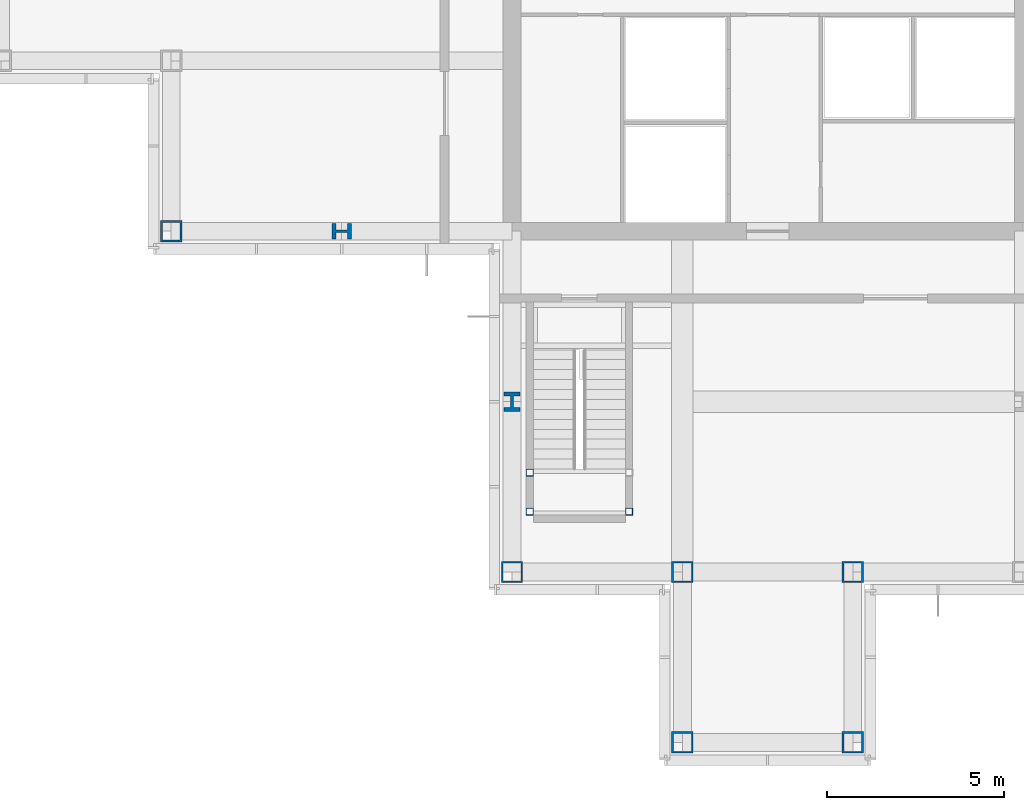
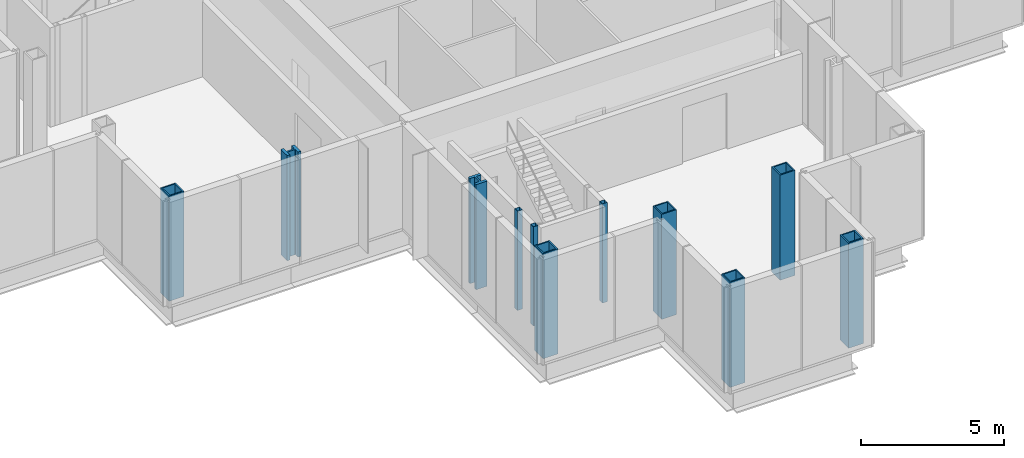
# One storey, part 1 of 12: 11 columns.
"""IFC4 building model written with IfcOpenShell, lengths in metres."""

from ifc_helpers import new_model, si_unit, direction, frame, origin, origin_2d, place, context, subcontext, project, spatial, hollow_rectangle, i_section, extrude, material, material_profile, profile_set, type_object, element, save


model = new_model("IFC4")

# Units and contexts
model_context = context("Model", 3, precision=1e-05, world=origin(), true_north=direction((0.0, 1.0)))
body_context = subcontext(model_context, "Body", "Model", "MODEL_VIEW")
ifc_project = project(units=[si_unit("LENGTHUNIT", "METRE"), si_unit("AREAUNIT", "SQUARE_METRE"), si_unit("VOLUMEUNIT", "CUBIC_METRE"), si_unit("PLANEANGLEUNIT", "RADIAN"), si_unit("MASSUNIT", "GRAM", prefix="KILO")], contexts=[model_context])

# Site, building, storey
site_placement = place(None, origin())
site = spatial("IfcSite", under=ifc_project, at=site_placement, CompositionType="ELEMENT")
building_placement = place(site_placement, origin())
building = spatial("IfcBuilding", under=site, at=building_placement, Name="Kvirike Care Tower", CompositionType="ELEMENT")
storey_placement = place(building_placement, frame((0.0, 0.0, 243.5)))
storey = spatial("IfcBuildingStorey", under=building, at=storey_placement, Name="L67", CompositionType="ELEMENT", Elevation=243.5)

# Columns
ifc_material_1 = material(Name="Steel S460", Category="steel")
ifc_material_profile_1 = material_profile(ifc_material_1, hollow_rectangle(XDim=0.60009765625, YDim=0.60009765625, WallThickness=0.050048828125, at=origin_2d()), Name="BX 600x600x50")
ifc_profile_set_1 = profile_set([ifc_material_profile_1], Name="Steel S460")
column_type_1 = type_object("IfcColumnType", Name="COLUMN BX 600x600x50", PredefinedType="COLUMN", material=ifc_profile_set_1)
for number, where, z_axis, x_axis, name in (
    (1, (4.800048828125, 28.800048828125, 0.0), (0.0, 0.0, 1.0), (0.0, 1.0, 0.0), "Column G4 L67"),
    (2, (14.39990234375, 19.199951171875, 0.0), (0.0, 0.0, 1.0), (0.0, 1.0, 0.0), "Column E6 L67"),
    (3, (19.199951171875, 14.39990234375, 0.0), (0.0, 0.0, 1.0), (0.0, 1.0, 0.0), "Column D7 L67"),
    (4, (19.199951171875, 19.199951171875, 0.0), (0.0, 0.0, 1.0), (0.0, 1.0, 0.0), "Column E7 L67"),
    (5, (24.0, 14.39990234375, 0.0), (0.0, 0.0, 1.0), (0.0, 1.0, 0.0), "Column D8 L67"),
    (6, (24.0, 19.199951171875, 0.0), (0.0, 0.0, 1.0), (0.0, 1.0, 0.0), "Column E8 L67"),
):
    element("IfcColumn", number, at=place(storey_placement, frame(where, z_axis=z_axis, x_axis=x_axis)), inside=storey, type_object=column_type_1, Name=name, PredefinedType="COLUMN", context=body_context, shape_type="SweptSolid", body=[
        extrude(hollow_rectangle(XDim=0.60009765625, YDim=0.60009765625, WallThickness=0.050048828125, at=origin_2d()), origin(), (0.0, 0.0, 1.0), 4.5),
    ])
ifc_material_2 = material(Name="Steel S460", Category="steel")
ifc_material_profile_2 = material_profile(ifc_material_2, i_section(OverallWidth=0.447998046875, OverallDepth=0.550048828125, WebThickness=0.072021484375, FlangeThickness=0.114990234375, FilletRadius=0.014892578125, at=origin_2d()), Name="HD 400x990")
ifc_profile_set_2 = profile_set([ifc_material_profile_2], Name="Steel S460")
column_type_2 = type_object("IfcColumnType", Name="COLUMN HD 400x990", PredefinedType="COLUMN", material=ifc_profile_set_2)
for number, where, z_axis, x_axis, name in (
    (7, (9.60009765625, 28.800048828125, 0.0), (0.0, 0.0, 1.0), (0.0, 1.0, 0.0), "Column G5 L67"),
    (8, (14.39990234375, 24.0, 0.0), (0.0, 0.0, 1.0), (1.0, 0.0, 0.0), "Column F6 L67"),
):
    element("IfcColumn", number, at=place(storey_placement, frame(where, z_axis=z_axis, x_axis=x_axis)), inside=storey, type_object=column_type_2, Name=name, PredefinedType="COLUMN", context=body_context, shape_type="SweptSolid", body=[
        extrude(i_section(OverallWidth=0.447998046875, OverallDepth=0.550048828125, WebThickness=0.072021484375, FlangeThickness=0.114990234375, FilletRadius=0.014892578125, at=origin_2d()), origin(), (0.0, 0.0, 1.0), 4.5),
    ])
ifc_material_3 = material(Name="Steel S460", Category="steel")
ifc_material_profile_3 = material_profile(ifc_material_3, hollow_rectangle(XDim=0.199951171875, YDim=0.199951171875, WallThickness=0.008056640625, at=origin_2d()), Name="SHS 200x200x8")
ifc_profile_set_3 = profile_set([ifc_material_profile_3], Name="Steel S460")
column_type_3 = type_object("IfcColumnType", Name="STAIR POST SHS 200x200x8", PredefinedType="COLUMN", material=ifc_profile_set_3)
for number, where, z_axis, x_axis, name in (
    (9, (14.89990234375, 20.89990234375, 0.0), (0.0, 0.0, 1.0), (1.0, 0.0, 0.0), "Stair 5 post 1 L67"),
    (10, (17.699951171875, 20.89990234375, 0.0), (0.0, 0.0, 1.0), (1.0, 0.0, 0.0), "Stair 5 post 2 L67"),
    (11, (14.89990234375, 22.0, 0.0), (0.0, 0.0, 1.0), (1.0, 0.0, 0.0), "Stair 5 post 3 L67"),
):
    element("IfcColumn", number, at=place(storey_placement, frame(where, z_axis=z_axis, x_axis=x_axis)), inside=storey, type_object=column_type_3, Name=name, PredefinedType="COLUMN", context=body_context, shape_type="SweptSolid", body=[
        extrude(hollow_rectangle(XDim=0.199951171875, YDim=0.199951171875, WallThickness=0.008056640625, at=origin_2d()), origin(), (0.0, 0.0, 1.0), 4.25),
    ])

save(model, "model.ifc")
